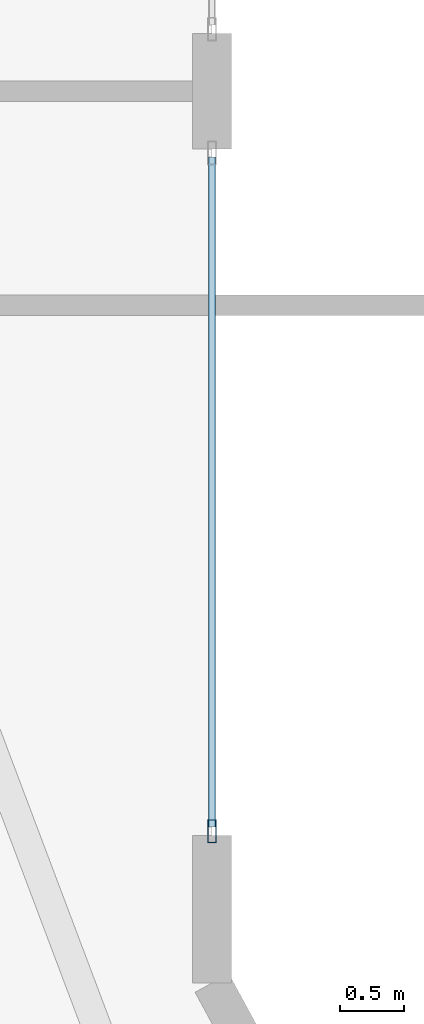
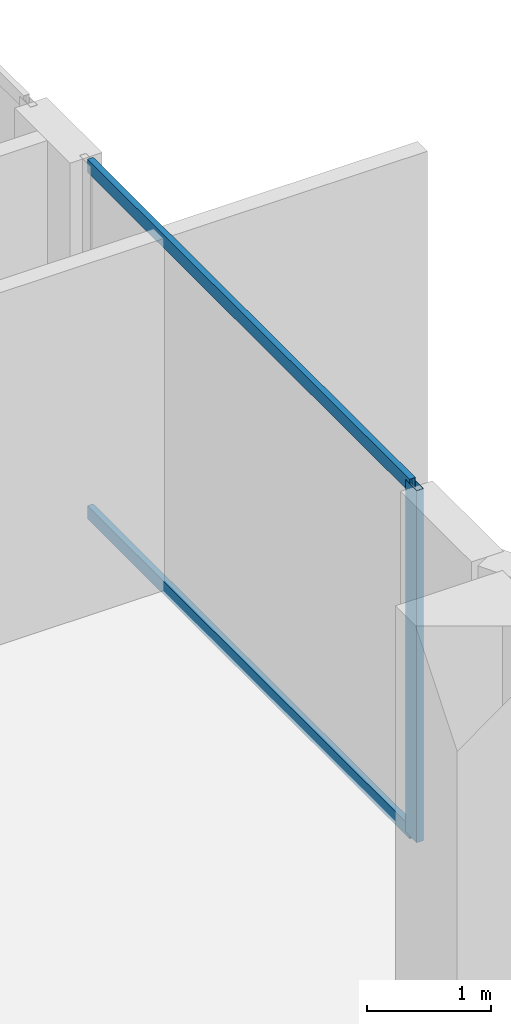
# One storey, part 10 of 23: 3 members, 1 element without a shape of its own.
"""IFC4 building model written with IfcOpenShell, lengths in metres."""

from ifc_helpers import new_model, si_unit, direction, frame, origin, origin_2d, place, context, subcontext, project, spatial, hollow_rectangle, extrude, material, layer, layer_set, material_profile, profile_set, type_object, element, aggregate, save


model = new_model("IFC4")

# Units and contexts
model_context = context("Model", 3, precision=1e-05, world=origin(), true_north=direction((0.0, 1.0)))
body_context = subcontext(model_context, "Body", "Model", "MODEL_VIEW")
ifc_project = project(units=[si_unit("LENGTHUNIT", "METRE"), si_unit("AREAUNIT", "SQUARE_METRE"), si_unit("VOLUMEUNIT", "CUBIC_METRE"), si_unit("PLANEANGLEUNIT", "RADIAN"), si_unit("MASSUNIT", "GRAM", prefix="KILO")], contexts=[model_context])

# Site, building, storey
site_placement = place(None, origin())
site = spatial("IfcSite", under=ifc_project, at=site_placement, CompositionType="ELEMENT")
building_placement = place(site_placement, origin())
building = spatial("IfcBuilding", under=site, at=building_placement, Name="Zuhayl Quay Hotel", CompositionType="ELEMENT")
storey_placement = place(building_placement, frame((0.0, 0.0, 261.85009765625)))
storey = spatial("IfcBuildingStorey", under=building, at=storey_placement, Name="L66", CompositionType="ELEMENT", Elevation=261.85009765625)

# Curtain wall, members
ifc_material_1 = material(Name="Anodised Aluminium 6063-T6", Category="aluminium")
ifc_layer = layer(ifc_material_1, 0.169921875, Name="Anodised Aluminium 6063-T6", Category="aluminium")
ifc_layer_set = layer_set([ifc_layer], Name="Anodised Aluminium 6063-T6")
curtain_wall_type = type_object("IfcCurtainWallType", Name="CW_SYS_Z4", PredefinedType="USERDEFINED", material=ifc_layer_set)
curtain_wall_placement = place(storey_placement, origin())
curtain_wall = element("IfcCurtainWall", 1, at=curtain_wall_placement, inside=storey, type_object=curtain_wall_type, Name="L66 Curtain Wall ENV_L66_E11_CW2", ObjectType="UNITISED CURTAIN WALL", PredefinedType="USERDEFINED")
ifc_material_2 = material(Name="Black-anodised aluminium 6063-T6", Category="aluminium")
ifc_material_profile_1 = material_profile(ifc_material_2, hollow_rectangle(XDim=0.06494140625, YDim=0.179931640625, WallThickness=0.00341796875, at=origin_2d()), Name="ALU180X65")
ifc_profile_set_1 = profile_set([ifc_material_profile_1], Name="Black-anodised aluminium 6063-T6")
member_type_1 = type_object("IfcMemberType", Name="MB_CW_MUL_180", PredefinedType="MULLION", material=ifc_profile_set_1)
member_1_placement = place(storey_placement, frame((20.199951171875, 25.282470703125, 0.0), z_axis=(0.0, 0.0, 1.0), x_axis=(1.0, 0.0, 0.0)))
member_1 = element("IfcMember", 2, at=member_1_placement, type_object=member_type_1, Name="CW-Z4 mullion 2", PredefinedType="MULLION", context=body_context, shape_type="SweptSolid", body=[
    extrude(hollow_rectangle(XDim=0.06494140625, YDim=0.179931640625, WallThickness=0.00341796875, at=origin_2d()), origin(), (0.0, 0.0, 1.0), 3.47998046875),
])
ifc_material_profile_2 = material_profile(ifc_material_2, hollow_rectangle(XDim=0.054931640625, YDim=0.1298828125, WallThickness=0.0029296875, at=origin_2d()), Name="ALU130X55")
ifc_profile_set_2 = profile_set([ifc_material_profile_2], Name="Black-anodised aluminium 6063-T6")
member_type_2 = type_object("IfcMemberType", Name="MB_CW_TRN_130", PredefinedType="USERDEFINED", material=ifc_profile_set_2)
member_2_placement = place(storey_placement, frame((20.199951171875, 30.534912109375, 0.02734375), z_axis=(0.0, -1.0, 0.0), x_axis=(1.0, 0.0, 0.0)))
member_2 = element("IfcMember", 3, at=member_2_placement, type_object=member_type_2, Name="CW-Z4 transom 1.1", ObjectType="TRANSOM", PredefinedType="USERDEFINED", context=body_context, shape_type="SweptSolid", body=[
    extrude(hollow_rectangle(XDim=0.054931640625, YDim=0.1298828125, WallThickness=0.0029296875, at=origin_2d()), origin(), (0.0, 0.0, 1.0), 5.219970703125),
])
member_3_placement = place(storey_placement, frame((20.199951171875, 30.534912109375, 3.452392578125), z_axis=(0.0, -1.0, 0.0), x_axis=(1.0, 0.0, 0.0)))
member_3 = element("IfcMember", 4, at=member_3_placement, type_object=member_type_2, Name="CW-Z4 transom 1.2", ObjectType="TRANSOM", PredefinedType="USERDEFINED", context=body_context, shape_type="SweptSolid", body=[
    extrude(hollow_rectangle(XDim=0.054931640625, YDim=0.1298828125, WallThickness=0.0029296875, at=origin_2d()), origin(), (0.0, 0.0, 1.0), 5.219970703125),
])
aggregate(curtain_wall, [member_1, member_2, member_3])

save(model, "model.ifc")
